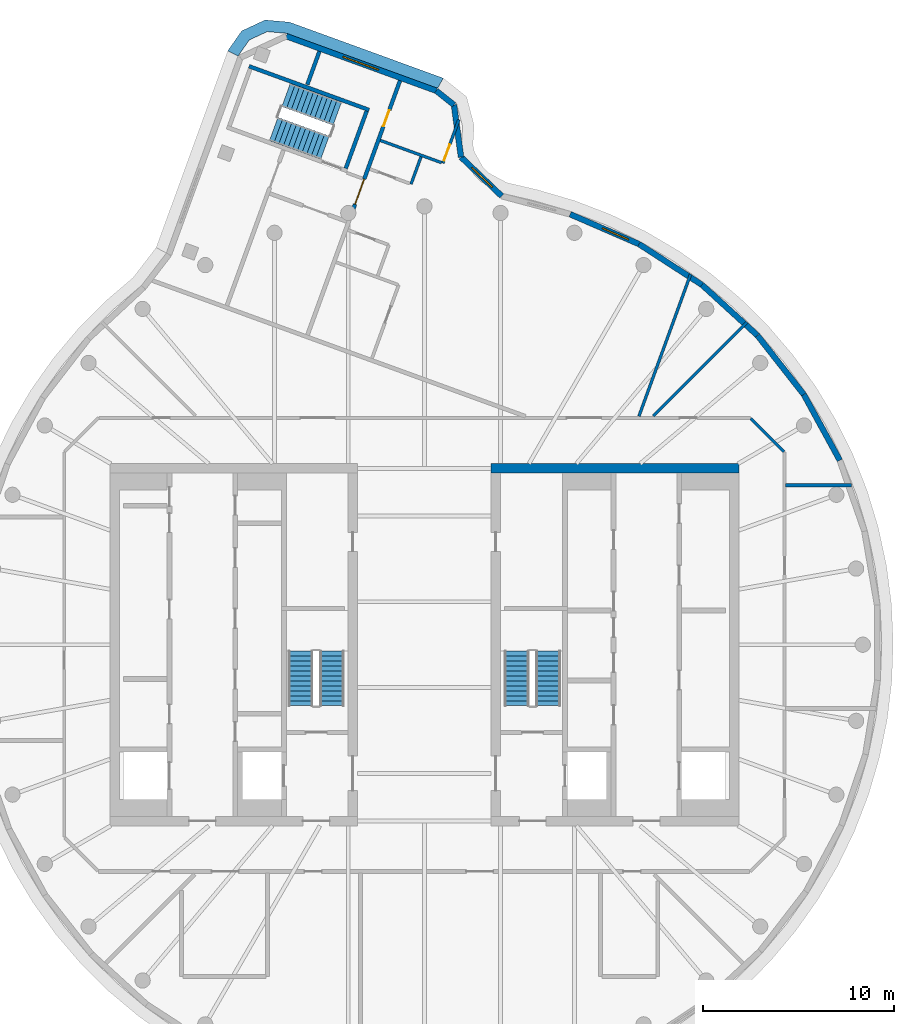
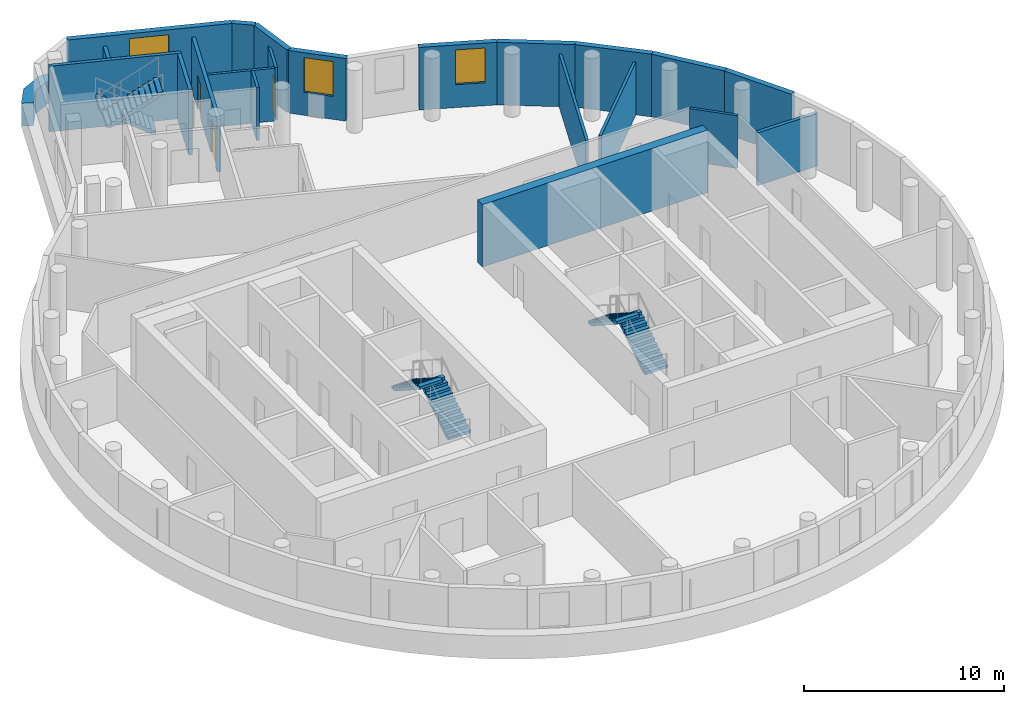
# One storey, part 6 of 7: 21 walls, 6 stair flights, 3 doors, 3 windows, 1 member, 6 openings, 3 elements without a shape of their own.
"""IFC4 building model written with IfcOpenShell, lengths in metres."""

from ifc_helpers import new_model, si_unit, direction, frame, frame_2d, origin, place, context, subcontext, project, spatial, polyline, rectangle, outline, extrude, material, layer, layer_set, type_object, element, fill, aggregate, save


model = new_model("IFC4")

# Units and contexts
model_context = context("Model", 3, precision=1e-05, world=origin(), true_north=direction((0.0, 1.0)))
body_context = subcontext(model_context, "Body", "Model", "MODEL_VIEW")
ifc_project = project(units=[si_unit("LENGTHUNIT", "METRE"), si_unit("AREAUNIT", "SQUARE_METRE"), si_unit("VOLUMEUNIT", "CUBIC_METRE"), si_unit("PLANEANGLEUNIT", "RADIAN"), si_unit("MASSUNIT", "GRAM", prefix="KILO")], contexts=[model_context])

# Member
ifc_material_1 = material(Name="Aluminium and insulated spandrel panel", Category="aluminium")
member_type = type_object("IfcMemberType", Name="Floor-edge blade transom", PredefinedType="USERDEFINED", material=ifc_material_1)
site_placement = place(None, origin())
building_placement = place(site_placement, origin())
storey_placement = place(building_placement, frame((0.0, 0.0, 317.39990234375)))
member_placement = place(storey_placement, origin())
member = element("IfcMember", 1, at=member_placement, type_object=member_type, Name="CWT-L78-00", ObjectType="TRANSOM", PredefinedType="USERDEFINED", context=body_context, shape_type="SweptSolid", body=[
    extrude(outline(polyline([(0.692626953125, 29.197021484375), (-7.21826171875, 32.076171875), (-8.249755859375, 32.16650390625), (-9.18798828125, 31.728759765625), (-9.78173828125, 30.880859375), (-10.318603515625, 31.16015625), (-9.587158203125, 32.20458984375), (-8.357666015625, 32.778076171875), (-7.08740234375, 32.6669921875), (0.9892578125, 29.7275390625), (0.692626953125, 29.197021484375)])), origin(), (0.0, 0.0, 1.0), 1.400146484375),
])

# Site, building, storey
site = spatial("IfcSite", under=ifc_project, at=site_placement, CompositionType="ELEMENT")
building = spatial("IfcBuilding", under=site, at=building_placement, Name="Tamarind Cross Interchange Tower", CompositionType="ELEMENT")
storey = spatial("IfcBuildingStorey", under=building, at=storey_placement, Name="L78", CompositionType="ELEMENT", Elevation=317.39990234375)

# Walls
ifc_material_2 = material(Name="Concrete C50", Category="concrete")
ifc_layer_1 = layer(ifc_material_2, 0.5)
ifc_layer_set_1 = layer_set([ifc_layer_1], Name="Concrete C50")
wall_type_1 = type_object("IfcWallType", Name="Core wall 500 mm Concrete C50", PredefinedType="SHEAR", material=ifc_layer_set_1)
wall_1_placement = place(storey_placement, frame((16.5, 9.25, 0.0), z_axis=(0.0, 0.0, 1.0), x_axis=(-1.0, 0.0, 0.0)))
element("IfcWall", 2, at=wall_1_placement, inside=storey, type_object=wall_type_1, Name="Core wall CWL-L78-E-NE", PredefinedType="SHEAR", context=body_context, shape_type="SweptSolid", body=[
    extrude(rectangle(XDim=13.0, YDim=0.5, at=frame_2d((6.5, 0.0))), origin(), (0.0, 0.0, 1.0), 3.820068359375),
])
ifc_material_3 = material(Name="Gypsum board partition on steel studs", Category="steel")
ifc_layer_2 = layer(ifc_material_3, 0.14990234375)
ifc_layer_set_2 = layer_set([ifc_layer_2], Name="Gypsum board partition on steel studs")
wall_type_2 = type_object("IfcWallType", Name="Partition 150 mm EI 120", PredefinedType="PARTITIONING", material=ifc_layer_set_2)
wall_2_placement = place(storey_placement, frame((17.12841796875, 11.87158203125, 0.0), z_axis=(0.0, 0.0, 1.0), x_axis=(0.707106781187, -0.707106781187, 0.0)))
element("IfcWall", 3, at=wall_2_placement, inside=storey, type_object=wall_type_2, Name="Partition L78-004", PredefinedType="PARTITIONING", context=body_context, shape_type="SweptSolid", body=[
    extrude(rectangle(XDim=2.465087890625, YDim=0.14990234375, at=frame_2d((1.232421875, 0.0))), origin(), (0.0, 0.0, 1.0), 3.22021484375),
])
wall_3_placement = place(storey_placement, frame((-2.31396484375, 26.460693359375, 0.0), z_axis=(0.0, 0.0, 1.0), x_axis=(0.939653710072, -0.342127030718, 0.0)))
element("IfcWall", 4, at=wall_3_placement, inside=storey, type_object=wall_type_2, Name="Partition L78-011", PredefinedType="PARTITIONING", context=body_context, shape_type="SweptSolid", body=[
    extrude(rectangle(XDim=3.420166015625, YDim=0.14990234375, at=frame_2d((1.7099609375, 0.0))), origin(), (0.0, 0.0, 1.0), 3.22021484375),
])
wall_4_placement = place(storey_placement, frame((12.009521484375, 12.009521484375, 0.0), z_axis=(0.0, 0.0, 1.0), x_axis=(0.707106781187, 0.707106781187, 0.0)))
element("IfcWall", 5, at=wall_4_placement, inside=storey, type_object=wall_type_2, Name="Partition L78-022", PredefinedType="PARTITIONING", context=body_context, shape_type="SweptSolid", body=[
    extrude(rectangle(XDim=6.954345703125, YDim=0.14990234375, at=frame_2d((3.47705078125, 0.0))), origin(), (0.0, 0.0, 1.0), 3.22021484375),
])

# Wall, opening, door
wall_5_placement = place(storey_placement, frame((0.974609375, 25.26318359375, 0.0), z_axis=(0.0, 0.0, 1.0), x_axis=(0.341863980667, 0.939749444652, 0.0)))
wall_5 = element("IfcWall", 6, at=wall_5_placement, inside=storey, type_object=wall_type_2, Name="Partition L78-029", PredefinedType="PARTITIONING", context=body_context, shape_type="SweptSolid", body=[
    extrude(rectangle(XDim=2.431640625, YDim=0.14990234375, at=frame_2d((1.2158203125, 0.0))), origin(), (0.0, 0.0, 1.0), 3.22021484375),
])
opening_1_placement = place(wall_5_placement, frame((0.14990234375, 0.0, 0.0)))
opening_1 = element("IfcOpeningElement", 7, at=opening_1_placement, cuts=wall_5, Name="Opening D17", PredefinedType="OPENING", context=body_context, shape_type="SweptSolid", body=[
    extrude(rectangle(XDim=0.89990234375, YDim=2.10009765625, at=frame_2d((0.449951171875, 1.050048828125))), frame((0.0, 0.0849609375, 0.0), z_axis=(0.0, -1.0, 0.0), x_axis=(1.0, 0.0, 0.0)), (0.0, 0.0, 1.0), 0.169921875),
])
ifc_material_4 = material(Name="Fire-resisting door set")
door_type_1 = type_object("IfcDoorType", Name="Interior door 900 x 2100 FD60S", OperationType="SINGLE_SWING_LEFT", PredefinedType="DOOR", material=ifc_material_4)
door_1_placement = place(opening_1_placement, origin())
door_1 = element("IfcDoor", 8, at=door_1_placement, inside=storey, type_object=door_type_1, Name="Door D17", OperationType="SINGLE_SWING_RIGHT", OverallHeight=2.10009765625, OverallWidth=0.89990234375, PredefinedType="DOOR", context=body_context, shape_type="SweptSolid", body=[
    extrude(rectangle(XDim=0.89990234375, YDim=2.10009765625, at=frame_2d((0.449951171875, 1.050048828125))), frame((0.0, 0.02490234375, 0.0), z_axis=(0.0, -1.0, 0.0), x_axis=(1.0, 0.0, 0.0)), (0.0, 0.0, 1.0), 0.050048828125),
])
fill(opening_1, door_1)

# Walls
wall_6_placement = place(storey_placement, frame((-0.700927734375, 24.17041015625, 0.0), z_axis=(0.0, 0.0, 1.0), x_axis=(0.341897280994, 0.939737329922, 0.0)))
element("IfcWall", 9, at=wall_6_placement, inside=storey, type_object=wall_type_2, Name="Partition L78-031", PredefinedType="PARTITIONING", context=body_context, shape_type="SweptSolid", body=[
    extrude(rectangle(XDim=1.525146484375, YDim=0.14990234375, at=frame_2d((0.7626953125, 0.0))), origin(), (0.0, 0.0, 1.0), 3.22021484375),
])
wall_7_placement = place(storey_placement, frame((11.25390625, 11.984619140625, 0.0), z_axis=(0.0, 0.0, 1.0), x_axis=(0.341898627175, 0.93973684015, 0.0)))
element("IfcWall", 10, at=wall_7_placement, inside=storey, type_object=wall_type_2, Name="Partition L78-032", PredefinedType="PARTITIONING", context=body_context, shape_type="SweptSolid", body=[
    extrude(rectangle(XDim=7.938232421875, YDim=0.14990234375, at=frame_2d((3.96923828125, 0.0))), origin(), (0.0, 0.0, 1.0), 3.22021484375),
])
ifc_layer_3 = layer(ifc_material_3, 0.199951171875)
ifc_layer_set_3 = layer_set([ifc_layer_3], Name="Gypsum board partition on steel studs")
wall_type_3 = type_object("IfcWallType", Name="Partition 200 mm EI 180", PredefinedType="PARTITIONING", material=ifc_layer_set_3)
wall_8_placement = place(storey_placement, frame((18.955078125, 8.37109375, 0.0), z_axis=(0.0, 0.0, 1.0), x_axis=(1.0, 0.0, 0.0)))
element("IfcWall", 11, at=wall_8_placement, inside=storey, type_object=wall_type_3, Name="Partition L78-019", PredefinedType="PARTITIONING", context=body_context, shape_type="SweptSolid", body=[
    extrude(rectangle(XDim=3.451904296875, YDim=0.199951171875, at=frame_2d((1.72607421875, 0.0))), origin(), (0.0, 0.0, 1.0), 3.22021484375),
])
wall_9_placement = place(storey_placement, frame((-6.14404296875, 29.38720703125, 0.0), z_axis=(0.0, 0.0, 1.0), x_axis=(0.342080568825, 0.939670625502, 0.0)))
element("IfcWall", 12, at=wall_9_placement, inside=storey, type_object=wall_type_3, Name="Partition L78-025", PredefinedType="PARTITIONING", context=body_context, shape_type="SweptSolid", body=[
    extrude(rectangle(XDim=1.8583984375, YDim=0.199951171875, at=frame_2d((0.92919921875, 0.0))), origin(), (0.0, 0.0, 1.0), 3.22021484375),
])

# Wall, openings, doors
wall_10_placement = place(storey_placement, frame((-3.753662109375, 22.799560546875, 0.0), z_axis=(0.0, 0.0, 1.0), x_axis=(0.341897570455, 0.93973722461, 0.0)))
wall_10 = element("IfcWall", 13, at=wall_10_placement, inside=storey, type_object=wall_type_3, Name="Partition L78-027", PredefinedType="PARTITIONING", context=body_context, shape_type="SweptSolid", body=[
    extrude(rectangle(XDim=7.2314453125, YDim=0.199951171875, at=frame_2d((3.61572265625, 0.0))), origin(), (0.0, 0.0, 1.0), 3.22021484375),
])
opening_2_placement = place(wall_10_placement, frame((0.332275390625, 0.0, 0.0)))
opening_2 = element("IfcOpeningElement", 14, at=opening_2_placement, cuts=wall_10, Name="Opening D14", PredefinedType="OPENING", context=body_context, shape_type="SweptSolid", body=[
    extrude(rectangle(XDim=1.39990234375, YDim=2.10009765625, at=frame_2d((0.699951171875, 1.050048828125))), frame((0.0, 0.10986328125, 0.0), z_axis=(0.0, -1.0, 0.0), x_axis=(1.0, 0.0, 0.0)), (0.0, 0.0, 1.0), 0.219970703125),
])
opening_3_placement = place(wall_10_placement, frame((4.6826171875, 0.0, 0.0)))
opening_3 = element("IfcOpeningElement", 15, at=opening_3_placement, cuts=wall_10, Name="Opening D15", PredefinedType="OPENING", context=body_context, shape_type="SweptSolid", body=[
    extrude(rectangle(XDim=0.89990234375, YDim=2.10009765625, at=frame_2d((0.449951171875, 1.050048828125))), frame((0.0, 0.10986328125, 0.0), z_axis=(0.0, -1.0, 0.0), x_axis=(1.0, 0.0, 0.0)), (0.0, 0.0, 1.0), 0.219970703125),
])
door_type_2 = type_object("IfcDoorType", Name="Interior door 1400 x 2100 FD120S", OperationType="DOUBLE_DOOR_SINGLE_SWING", PredefinedType="DOOR", material=ifc_material_4)
door_2_placement = place(opening_2_placement, frame((1.39990234375, 0.0, 0.0), z_axis=(0.0, 0.0, 1.0), x_axis=(-1.0, 0.0, 0.0)))
door_2 = element("IfcDoor", 16, at=door_2_placement, inside=storey, type_object=door_type_2, Name="Door D14", OperationType="DOUBLE_DOOR_SINGLE_SWING", OverallHeight=2.10009765625, OverallWidth=1.39990234375, PredefinedType="DOOR", context=body_context, shape_type="SweptSolid", body=[
    extrude(rectangle(XDim=1.39990234375, YDim=2.10009765625, at=frame_2d((0.699951171875, 1.050048828125))), frame((0.0, 0.02490234375, 0.0), z_axis=(0.0, -1.0, 0.0), x_axis=(1.0, 0.0, 0.0)), (0.0, 0.0, 1.0), 0.050048828125),
])
fill(opening_2, door_2)
door_type_3 = type_object("IfcDoorType", Name="Interior door 900 x 2100 FD120S", OperationType="SINGLE_SWING_LEFT", PredefinedType="DOOR", material=ifc_material_4)
door_3_placement = place(opening_3_placement, origin())
door_3 = element("IfcDoor", 17, at=door_3_placement, inside=storey, type_object=door_type_3, Name="Door D15", OperationType="SINGLE_SWING_LEFT", OverallHeight=2.10009765625, OverallWidth=0.89990234375, PredefinedType="DOOR", context=body_context, shape_type="SweptSolid", body=[
    extrude(rectangle(XDim=0.89990234375, YDim=2.10009765625, at=frame_2d((0.449951171875, 1.050048828125))), frame((0.0, 0.02490234375, 0.0), z_axis=(0.0, -1.0, 0.0), x_axis=(1.0, 0.0, 0.0)), (0.0, 0.0, 1.0), 0.050048828125),
])
fill(opening_3, door_3)

# Wall, opening, window
ifc_material_5 = material(Name="Precast concrete C40", Category="concrete")
ifc_layer_4 = layer(ifc_material_5, 0.300048828125)
ifc_layer_set_4 = layer_set([ifc_layer_4], Name="Precast concrete C40")
wall_type_4 = type_object("IfcWallType", Name="Plant louvre wall", PredefinedType="SOLIDWALL", material=ifc_layer_set_4)
wall_11_placement = place(storey_placement, frame((0.61865234375, 29.064453125, 0.0), z_axis=(0.0, 0.0, 1.0), x_axis=(-0.93970742794, 0.341979458265, 0.0)))
wall_11 = element("IfcWall", 18, at=wall_11_placement, inside=storey, type_object=wall_type_4, Name="EXW-L78-00-00", PredefinedType="SOLIDWALL", context=body_context, shape_type="SweptSolid", body=[
    extrude(rectangle(XDim=8.374755859375, YDim=0.300048828125, at=frame_2d((4.1875, 0.0))), origin(), (0.0, 0.0, 1.0), 3.820068359375),
])
opening_4_placement = place(wall_11_placement, frame((3.216796875, 0.0, 1.39990234375)))
opening_4 = element("IfcOpeningElement", 19, at=opening_4_placement, cuts=wall_11, Name="Opening W2", PredefinedType="OPENING", context=body_context, shape_type="SweptSolid", body=[
    extrude(rectangle(XDim=1.998291015625, YDim=2.1201171875, at=frame_2d((0.9990234375, 1.06005859375))), frame((0.0, 0.159912109375, 0.0), z_axis=(0.0, -1.0, 0.0), x_axis=(1.0, 0.0, 0.0)), (0.0, 0.0, 1.0), 0.320068359375),
])
ifc_material_6 = material(Name="Aluminium louvre", Category="aluminium")
window_type = type_object("IfcWindowType", Name="Plant louvre bank", PartitioningType="SINGLE_PANEL", PredefinedType="WINDOW", material=ifc_material_6)
window_1_placement = place(opening_4_placement, origin())
window_1 = element("IfcWindow", 20, at=window_1_placement, inside=storey, type_object=window_type, Name="WIN-L78-00-00", OverallHeight=2.1201171875, OverallWidth=1.998291015625, PartitioningType="SINGLE_PANEL", PredefinedType="WINDOW", context=body_context, shape_type="SweptSolid", body=[
    extrude(rectangle(XDim=1.998291015625, YDim=2.1201171875, at=frame_2d((0.9990234375, 1.06005859375))), frame((0.0, 0.030029296875, 0.0), z_axis=(0.0, -1.0, 0.0), x_axis=(1.0, 0.0, 0.0)), (0.0, 0.0, 1.0), 0.06005859375),
])
fill(opening_4, window_1)

aggregate(wall_11, [member])

# Walls
wall_12_placement = place(storey_placement, frame((21.7958984375, 9.672607421875, 0.0), z_axis=(0.0, 0.0, 1.0), x_axis=(-0.479742253376, 0.877409465601, 0.0)))
element("IfcWall", 21, at=wall_12_placement, inside=storey, type_object=wall_type_4, Name="EXW-L78-02-28", PredefinedType="SOLIDWALL", context=body_context, shape_type="SweptSolid", body=[
    extrude(rectangle(XDim=3.9384765625, YDim=0.300048828125, at=frame_2d((1.96923828125, 0.0))), origin(), (0.0, 0.0, 1.0), 3.820068359375),
])
wall_13_placement = place(storey_placement, frame((19.906494140625, 13.128173828125, 0.0), z_axis=(0.0, 0.0, 1.0), x_axis=(-0.617577851206, 0.786509756901, 0.0)))
element("IfcWall", 22, at=wall_13_placement, inside=storey, type_object=wall_type_4, Name="EXW-L78-02-29", PredefinedType="SOLIDWALL", context=body_context, shape_type="SweptSolid", body=[
    extrude(rectangle(XDim=3.938232421875, YDim=0.300048828125, at=frame_2d((1.96923828125, 0.0))), origin(), (0.0, 0.0, 1.0), 3.820068359375),
])
wall_14_placement = place(storey_placement, frame((17.474365234375, 16.2255859375, 0.0), z_axis=(0.0, 0.0, 1.0), x_axis=(-0.738634435884, 0.674106200926, 0.0)))
element("IfcWall", 23, at=wall_14_placement, inside=storey, type_object=wall_type_4, Name="EXW-L78-02-30", PredefinedType="SOLIDWALL", context=body_context, shape_type="SweptSolid", body=[
    extrude(rectangle(XDim=3.9384765625, YDim=0.300048828125, at=frame_2d((1.96923828125, 0.0))), origin(), (0.0, 0.0, 1.0), 3.820068359375),
])
wall_15_placement = place(storey_placement, frame((14.565185546875, 18.880615234375, 0.0), z_axis=(0.0, 0.0, 1.0), x_axis=(-0.839498632024, 0.54336180104, 0.0)))
element("IfcWall", 24, at=wall_15_placement, inside=storey, type_object=wall_type_4, Name="EXW-L78-02-31", PredefinedType="SOLIDWALL", context=body_context, shape_type="SweptSolid", body=[
    extrude(rectangle(XDim=3.938232421875, YDim=0.300048828125, at=frame_2d((1.96923828125, 0.0))), origin(), (0.0, 0.0, 1.0), 3.820068359375),
])

# Wall, opening, window
wall_16_placement = place(storey_placement, frame((11.259033203125, 21.0205078125, 0.0), z_axis=(0.0, 0.0, 1.0), x_axis=(-0.917505110173, 0.397723990735, 0.0)))
wall_16 = element("IfcWall", 25, at=wall_16_placement, inside=storey, type_object=wall_type_4, Name="EXW-L78-02-32", PredefinedType="SOLIDWALL", context=body_context, shape_type="SweptSolid", body=[
    extrude(rectangle(XDim=3.9384765625, YDim=0.300048828125, at=frame_2d((1.96923828125, 0.0))), origin(), (0.0, 0.0, 1.0), 3.820068359375),
])
opening_5_placement = place(wall_16_placement, frame((0.60009765625, 0.0, 1.39990234375)))
opening_5 = element("IfcOpeningElement", 26, at=opening_5_placement, cuts=wall_16, Name="Opening W2", PredefinedType="OPENING", context=body_context, shape_type="SweptSolid", body=[
    extrude(rectangle(XDim=1.498291015625, YDim=2.1201171875, at=frame_2d((0.7490234375, 1.06005859375))), frame((0.0, 0.159912109375, 0.0), z_axis=(0.0, -1.0, 0.0), x_axis=(1.0, 0.0, 0.0)), (0.0, 0.0, 1.0), 0.320068359375),
])
window_2_placement = place(opening_5_placement, origin())
window_2 = element("IfcWindow", 27, at=window_2_placement, inside=storey, type_object=window_type, Name="WIN-L78-02-32", OverallHeight=2.1201171875, OverallWidth=1.498291015625, PartitioningType="SINGLE_PANEL", PredefinedType="WINDOW", context=body_context, shape_type="SweptSolid", body=[
    extrude(rectangle(XDim=1.498291015625, YDim=2.1201171875, at=frame_2d((0.7490234375, 1.06005859375))), frame((0.0, 0.030029296875, 0.0), z_axis=(0.0, -1.0, 0.0), x_axis=(1.0, 0.0, 0.0)), (0.0, 0.0, 1.0), 0.06005859375),
])
fill(opening_5, window_2)

wall_17_placement = place(storey_placement, frame((4.05322265625, 23.53955078125, 0.0), z_axis=(0.0, 0.0, 1.0), x_axis=(-0.721986485098, 0.691907158032, 0.0)))
wall_17 = element("IfcWall", 28, at=wall_17_placement, inside=storey, type_object=wall_type_4, Name="EXW-L78-02-34", PredefinedType="SOLIDWALL", context=body_context, shape_type="SweptSolid", body=[
    extrude(rectangle(XDim=2.954345703125, YDim=0.300048828125, at=frame_2d((1.47705078125, 0.0))), origin(), (0.0, 0.0, 1.0), 3.820068359375),
])
opening_6_placement = place(wall_17_placement, frame((0.677734375, 0.0, 1.39990234375)))
opening_6 = element("IfcOpeningElement", 29, at=opening_6_placement, cuts=wall_17, Name="Opening W2", PredefinedType="OPENING", context=body_context, shape_type="SweptSolid", body=[
    extrude(rectangle(XDim=1.487548828125, YDim=2.1201171875, at=frame_2d((0.74365234375, 1.06005859375))), frame((0.0, 0.159912109375, 0.0), z_axis=(0.0, -1.0, 0.0), x_axis=(1.0, 0.0, 0.0)), (0.0, 0.0, 1.0), 0.320068359375),
])
window_3_placement = place(opening_6_placement, origin())
window_3 = element("IfcWindow", 30, at=window_3_placement, inside=storey, type_object=window_type, Name="WIN-L78-02-34", OverallHeight=2.1201171875, OverallWidth=1.487548828125, PartitioningType="SINGLE_PANEL", PredefinedType="WINDOW", context=body_context, shape_type="SweptSolid", body=[
    extrude(rectangle(XDim=1.487548828125, YDim=2.1201171875, at=frame_2d((0.74365234375, 1.06005859375))), frame((0.0, 0.030029296875, 0.0), z_axis=(0.0, -1.0, 0.0), x_axis=(1.0, 0.0, 0.0)), (0.0, 0.0, 1.0), 0.06005859375),
])
fill(opening_6, window_3)

# Walls
wall_18_placement = place(storey_placement, frame((1.920166015625, 25.583740234375, 0.0), z_axis=(0.0, 0.0, 1.0), x_axis=(-0.133683682647, 0.991024052682, 0.0)))
element("IfcWall", 31, at=wall_18_placement, inside=storey, type_object=wall_type_4, Name="EXW-L78-02-35", PredefinedType="SOLIDWALL", context=body_context, shape_type="SweptSolid", body=[
    extrude(rectangle(XDim=2.766845703125, YDim=0.300048828125, at=frame_2d((1.38330078125, 0.0))), origin(), (0.0, 0.0, 1.0), 3.820068359375),
])
wall_19_placement = place(storey_placement, frame((1.55029296875, 28.32568359375, 0.0), z_axis=(0.0, 0.0, 1.0), x_axis=(-0.78354593718, 0.621333858991, 0.0)))
element("IfcWall", 32, at=wall_19_placement, inside=storey, type_object=wall_type_4, Name="EXW-L78-02-36", PredefinedType="SOLIDWALL", context=body_context, shape_type="SweptSolid", body=[
    extrude(rectangle(XDim=1.18896484375, YDim=0.300048828125, at=frame_2d((0.594482421875, 0.0))), origin(), (0.0, 0.0, 1.0), 3.820068359375),
])
ifc_material_7 = material(Name="Concrete C40", Category="concrete")
ifc_layer_5 = layer(ifc_material_7, 0.199951171875)
ifc_layer_set_5 = layer_set([ifc_layer_5], Name="Concrete C40")
wall_type_5 = type_object("IfcWallType", Name="Stair shaft wall 200 mm Concrete C40", PredefinedType="SHEAR", material=ifc_layer_set_5)
wall_20_placement = place(storey_placement, frame((-2.9033203125, 28.05810546875, -0.179931640625), z_axis=(0.0, 0.0, 1.0), x_axis=(-0.939693375008, 0.342018071111, 0.0)))
element("IfcWall", 33, at=wall_20_placement, inside=storey, type_object=wall_type_5, Name="Core wall CWL-L78-ST4-C", PredefinedType="SHEAR", context=body_context, shape_type="SweptSolid", body=[
    extrude(rectangle(XDim=6.699951171875, YDim=0.199951171875, at=frame_2d((3.35009765625, 0.0))), origin(), (0.0, 0.0, 1.0), 4.0),
])
wall_21_placement = place(storey_placement, frame((-3.031494140625, 27.998291015625, -0.179931640625), z_axis=(0.0, 0.0, 1.0), x_axis=(-0.341975850632, -0.939708740826, 0.0)))
element("IfcWall", 34, at=wall_21_placement, inside=storey, type_object=wall_type_5, Name="Core wall CWL-L78-ST4-CE", PredefinedType="SHEAR", context=body_context, shape_type="SweptSolid", body=[
    extrude(rectangle(XDim=3.19970703125, YDim=0.199951171875, at=frame_2d((1.599853515625, 0.0))), origin(), (0.0, 0.0, 1.0), 4.0),
])

# Stair, stair flights
ifc_material_8 = material(Name="Exit stair")
stair_type = type_object("IfcStairType", Name="Exit stair", PredefinedType="HALF_TURN_STAIR", material=ifc_material_8)
stair_1_placement = place(storey_placement, origin())
stair_1 = element("IfcStair", 35, at=stair_1_placement, inside=storey, type_object=stair_type, Name="L78 exit stair ST1", PredefinedType="HALF_TURN_STAIR")
ifc_material_9 = material(Name="Exit stair flight")
stair_flight_type = type_object("IfcStairFlightType", Name="Exit stair flight", PredefinedType="STRAIGHT", material=ifc_material_9)
stair_flight_1_placement = place(storey_placement, frame((-4.85009765625, -3.199951171875, 0.0), z_axis=(0.0, 0.0, 1.0), x_axis=(0.0, 1.0, 0.0)))
stair_flight_1 = element("IfcStairFlight", 36, at=stair_flight_1_placement, type_object=stair_flight_type, Name="ST1 flight 1", NumberOfRisers=12, NumberOfTreads=11, PredefinedType="STRAIGHT", RiserHeight=0.166666667, TreadLength=0.26, context=body_context, shape_type="SweptSolid", body=[
    extrude(outline(polyline([(0.0, 0.0), (0.0, 0.166748046875), (0.260009765625, 0.166748046875), (0.260009765625, 0.333251953125), (0.52001953125, 0.333251953125), (0.52001953125, 0.5), (0.780029296875, 0.5), (0.780029296875, 0.666748046875), (1.0400390625, 0.666748046875), (1.0400390625, 0.833251953125), (1.300048828125, 0.833251953125), (1.300048828125, 1.0), (1.56005859375, 1.0), (1.56005859375, 1.166748046875), (1.820068359375, 1.166748046875), (1.820068359375, 1.333251953125), (2.080078125, 1.333251953125), (2.080078125, 1.5), (2.340087890625, 1.5), (2.340087890625, 1.666748046875), (2.60009765625, 1.666748046875), (2.60009765625, 1.833251953125), (2.860107421875, 1.833251953125), (2.860107421875, 2.0), (2.860107421875, 1.6552734375), (0.27783203125, 0.0), (0.0, 0.0)])), frame((0.0, 0.64990234375, 0.0), z_axis=(0.0, -1.0, 0.0), x_axis=(1.0, 0.0, 0.0)), (0.0, 0.0, 1.0), 1.300048828125),
])
stair_flight_2_placement = place(storey_placement, frame((-6.5, -0.340087890625, 2.0), z_axis=(0.0, 0.0, 1.0), x_axis=(0.0, -1.0, 0.0)))
stair_flight_2 = element("IfcStairFlight", 37, at=stair_flight_2_placement, type_object=stair_flight_type, Name="ST1 flight 2", NumberOfRisers=12, NumberOfTreads=11, PredefinedType="STRAIGHT", RiserHeight=0.166666667, TreadLength=0.26, context=body_context, shape_type="SweptSolid", body=[
    extrude(outline(polyline([(0.0, 0.0), (0.0, 0.166748046875), (0.260009765625, 0.166748046875), (0.260009765625, 0.333251953125), (0.52001953125, 0.333251953125), (0.52001953125, 0.5), (0.780029296875, 0.5), (0.780029296875, 0.666748046875), (1.0400390625, 0.666748046875), (1.0400390625, 0.833251953125), (1.300048828125, 0.833251953125), (1.300048828125, 1.0), (1.56005859375, 1.0), (1.56005859375, 1.166748046875), (1.820068359375, 1.166748046875), (1.820068359375, 1.333251953125), (2.080078125, 1.333251953125), (2.080078125, 1.5), (2.340087890625, 1.5), (2.340087890625, 1.666748046875), (2.60009765625, 1.666748046875), (2.60009765625, 1.833251953125), (2.860107421875, 1.833251953125), (2.860107421875, 2.0), (2.860107421875, 1.6552734375), (0.27783203125, 0.0), (0.0, 0.0)])), frame((0.0, 0.64990234375, 0.0), z_axis=(0.0, -1.0, 0.0), x_axis=(1.0, 0.0, 0.0)), (0.0, 0.0, 1.0), 1.300048828125),
])
aggregate(stair_1, [stair_flight_1, stair_flight_2])

stair_2_placement = place(storey_placement, origin())
stair_2 = element("IfcStair", 38, at=stair_2_placement, inside=storey, type_object=stair_type, Name="L78 exit stair ST2", PredefinedType="HALF_TURN_STAIR")
stair_flight_3_placement = place(storey_placement, frame((6.5, -3.199951171875, 0.0), z_axis=(0.0, 0.0, 1.0), x_axis=(0.0, 1.0, 0.0)))
stair_flight_3 = element("IfcStairFlight", 39, at=stair_flight_3_placement, type_object=stair_flight_type, Name="ST2 flight 1", NumberOfRisers=12, NumberOfTreads=11, PredefinedType="STRAIGHT", RiserHeight=0.166666667, TreadLength=0.26, context=body_context, shape_type="SweptSolid", body=[
    extrude(outline(polyline([(0.0, 0.0), (0.0, 0.166748046875), (0.260009765625, 0.166748046875), (0.260009765625, 0.333251953125), (0.52001953125, 0.333251953125), (0.52001953125, 0.5), (0.780029296875, 0.5), (0.780029296875, 0.666748046875), (1.0400390625, 0.666748046875), (1.0400390625, 0.833251953125), (1.300048828125, 0.833251953125), (1.300048828125, 1.0), (1.56005859375, 1.0), (1.56005859375, 1.166748046875), (1.820068359375, 1.166748046875), (1.820068359375, 1.333251953125), (2.080078125, 1.333251953125), (2.080078125, 1.5), (2.340087890625, 1.5), (2.340087890625, 1.666748046875), (2.60009765625, 1.666748046875), (2.60009765625, 1.833251953125), (2.860107421875, 1.833251953125), (2.860107421875, 2.0), (2.860107421875, 1.6552734375), (0.27783203125, 0.0), (0.0, 0.0)])), frame((0.0, 0.64990234375, 0.0), z_axis=(0.0, -1.0, 0.0), x_axis=(1.0, 0.0, 0.0)), (0.0, 0.0, 1.0), 1.300048828125),
])
stair_flight_4_placement = place(storey_placement, frame((4.85009765625, -0.340087890625, 2.0), z_axis=(0.0, 0.0, 1.0), x_axis=(0.0, -1.0, 0.0)))
stair_flight_4 = element("IfcStairFlight", 40, at=stair_flight_4_placement, type_object=stair_flight_type, Name="ST2 flight 2", NumberOfRisers=12, NumberOfTreads=11, PredefinedType="STRAIGHT", RiserHeight=0.166666667, TreadLength=0.26, context=body_context, shape_type="SweptSolid", body=[
    extrude(outline(polyline([(0.0, 0.0), (0.0, 0.166748046875), (0.260009765625, 0.166748046875), (0.260009765625, 0.333251953125), (0.52001953125, 0.333251953125), (0.52001953125, 0.5), (0.780029296875, 0.5), (0.780029296875, 0.666748046875), (1.0400390625, 0.666748046875), (1.0400390625, 0.833251953125), (1.300048828125, 0.833251953125), (1.300048828125, 1.0), (1.56005859375, 1.0), (1.56005859375, 1.166748046875), (1.820068359375, 1.166748046875), (1.820068359375, 1.333251953125), (2.080078125, 1.333251953125), (2.080078125, 1.5), (2.340087890625, 1.5), (2.340087890625, 1.666748046875), (2.60009765625, 1.666748046875), (2.60009765625, 1.833251953125), (2.860107421875, 1.833251953125), (2.860107421875, 2.0), (2.860107421875, 1.6552734375), (0.27783203125, 0.0), (0.0, 0.0)])), frame((0.0, 0.64990234375, 0.0), z_axis=(0.0, -1.0, 0.0), x_axis=(1.0, 0.0, 0.0)), (0.0, 0.0, 1.0), 1.300048828125),
])
aggregate(stair_2, [stair_flight_3, stair_flight_4])

stair_3_placement = place(storey_placement, origin())
stair_3 = element("IfcStair", 41, at=stair_3_placement, inside=storey, type_object=stair_type, Name="L78 exit stair ST4", PredefinedType="HALF_TURN_STAIR")
stair_flight_5_placement = place(storey_placement, frame((-4.5693359375, 27.866455078125, 0.0), z_axis=(0.0, 0.0, 1.0), x_axis=(-0.939702171424, 0.341993902024, 0.0)))
stair_flight_5 = element("IfcStairFlight", 42, at=stair_flight_5_placement, type_object=stair_flight_type, Name="ST4 flight 1", NumberOfRisers=12, NumberOfTreads=11, PredefinedType="STRAIGHT", RiserHeight=0.166666667, TreadLength=0.26, context=body_context, shape_type="SweptSolid", body=[
    extrude(outline(polyline([(0.0, 0.0), (0.0, 0.166748046875), (0.260009765625, 0.166748046875), (0.260009765625, 0.333251953125), (0.52001953125, 0.333251953125), (0.52001953125, 0.5), (0.780029296875, 0.5), (0.780029296875, 0.666748046875), (1.0400390625, 0.666748046875), (1.0400390625, 0.833251953125), (1.300048828125, 0.833251953125), (1.300048828125, 1.0), (1.56005859375, 1.0), (1.56005859375, 1.166748046875), (1.820068359375, 1.166748046875), (1.820068359375, 1.333251953125), (2.080078125, 1.333251953125), (2.080078125, 1.5), (2.340087890625, 1.5), (2.340087890625, 1.666748046875), (2.60009765625, 1.666748046875), (2.60009765625, 1.833251953125), (2.860107421875, 1.833251953125), (2.860107421875, 2.0), (2.860107421875, 1.6552734375), (0.27783203125, 0.0), (0.0, 0.0)])), frame((0.0, 0.64990234375, 0.0), z_axis=(0.0, -1.0, 0.0), x_axis=(1.0, 0.0, 0.0)), (0.0, 0.0, 1.0), 1.300048828125),
])
stair_flight_6_placement = place(storey_placement, frame((-7.906494140625, 27.05908203125, 2.0), z_axis=(0.0, 0.0, 1.0), x_axis=(0.939702171424, -0.341993902024, 0.0)))
stair_flight_6 = element("IfcStairFlight", 43, at=stair_flight_6_placement, type_object=stair_flight_type, Name="ST4 flight 2", NumberOfRisers=12, NumberOfTreads=11, PredefinedType="STRAIGHT", RiserHeight=0.166666667, TreadLength=0.26, context=body_context, shape_type="SweptSolid", body=[
    extrude(outline(polyline([(0.0, 0.0), (0.0, 0.166748046875), (0.260009765625, 0.166748046875), (0.260009765625, 0.333251953125), (0.52001953125, 0.333251953125), (0.52001953125, 0.5), (0.780029296875, 0.5), (0.780029296875, 0.666748046875), (1.0400390625, 0.666748046875), (1.0400390625, 0.833251953125), (1.300048828125, 0.833251953125), (1.300048828125, 1.0), (1.56005859375, 1.0), (1.56005859375, 1.166748046875), (1.820068359375, 1.166748046875), (1.820068359375, 1.333251953125), (2.080078125, 1.333251953125), (2.080078125, 1.5), (2.340087890625, 1.5), (2.340087890625, 1.666748046875), (2.60009765625, 1.666748046875), (2.60009765625, 1.833251953125), (2.860107421875, 1.833251953125), (2.860107421875, 2.0), (2.860107421875, 1.6552734375), (0.27783203125, 0.0), (0.0, 0.0)])), frame((0.0, 0.64990234375, 0.0), z_axis=(0.0, -1.0, 0.0), x_axis=(1.0, 0.0, 0.0)), (0.0, 0.0, 1.0), 1.300048828125),
])
aggregate(stair_3, [stair_flight_5, stair_flight_6])

save(model, "model.ifc")
